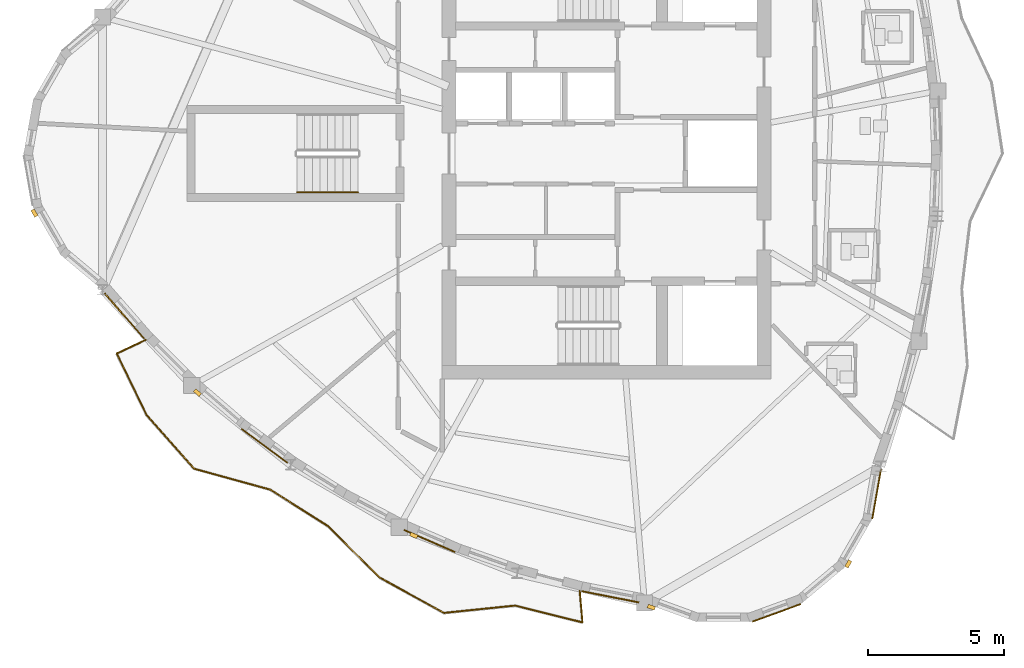
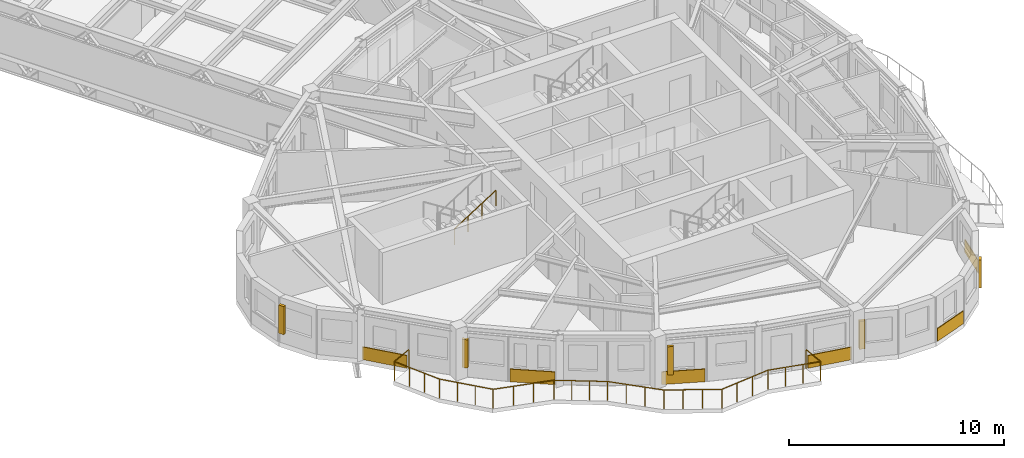
# One storey, part 11 of 14: 6 coverings, 5 shading devices, 2 railings.
"""IFC4 building model written with IfcOpenShell, lengths in metres."""

import ifcopenshell
import ifcopenshell.guid

model = None  # the IFC model being written
_history = None  # IfcOwnerHistory: only IFC2X3 demands one
_inside = {}  # id of a spatial element -> (the spatial element, [elements in it])
_under = {}  # id of a project, library or spatial element -> (it, [spatial elements below it])
_declared = {}  # id of a project -> (the project, [libraries it declares])
_typed = {}  # id of a type object -> (the type object, [elements of that type])
_made_of = {}  # id of a material, layer set ... -> (it, [elements and type objects made of it])


def new_model(schema):
    """Start an empty IFC model of exactly this schema.

    Asked for "IFC4X3", IfcOpenShell would pick the latest addendum, in which some entities
    have other attributes; the version numbers below select the first issue.
    IFC2X3 requires an IfcOwnerHistory on every rooted entity: one is made here for all.
    """
    global model, _history
    if schema == "IFC4X3":
        model = ifcopenshell.file(schema_version=(4, 3, 0, 0))
    else:
        model = ifcopenshell.file(schema=schema)
    _inside.clear()
    _under.clear()
    _declared.clear()
    _typed.clear()
    _made_of.clear()
    _history = None
    if model.schema == "IFC2X3":
        org = make("IfcOrganization", Name="unknown")
        user = make(
            "IfcPersonAndOrganization",
            ThePerson=make("IfcPerson", FamilyName="unknown"),
            TheOrganization=org,
        )
        app = make(
            "IfcApplication",
            ApplicationDeveloper=org,
            Version="unknown",
            ApplicationFullName="unknown",
            ApplicationIdentifier="unknown",
        )
        _history = make(
            "IfcOwnerHistory",
            OwningUser=user,
            OwningApplication=app,
            ChangeAction="ADDED",
            CreationDate=0,
        )
    return model


def make(cls, **values):
    """One entity of the class cls with the attributes given. An attribute that is None is left unset."""
    return model.create_entity(
        cls, **{name: value for name, value in values.items() if value is not None}
    )


def rooted(cls, **values):
    """An entity with a GlobalId (a new one), such as an element, a storey or a relation."""
    return make(cls, GlobalId=ifcopenshell.guid.new(), OwnerHistory=_history, **values)


def si_unit(unit_type, name, prefix=None):
    """IfcSIUnit, for example si_unit("LENGTHUNIT", "METRE", prefix="MILLI")."""
    return make("IfcSIUnit", UnitType=unit_type, Prefix=prefix, Name=name)


def assignment(units):
    """IfcUnitAssignment: the units of a project."""
    return None if units is None else make("IfcUnitAssignment", Units=units)


def point(xyz):
    """IfcCartesianPoint."""
    return None if xyz is None else make("IfcCartesianPoint", Coordinates=xyz)


def direction(xyz):
    """IfcDirection."""
    return None if xyz is None else make("IfcDirection", DirectionRatios=xyz)


def frame(location, z_axis=None, x_axis=None):
    """IfcAxis2Placement3D, a coordinate frame: its origin and axes. An axis left out is left unset."""
    return make(
        "IfcAxis2Placement3D",
        Location=point(location),
        Axis=direction(z_axis),
        RefDirection=direction(x_axis),
    )


def frame_2d(location, x_axis=None):
    """IfcAxis2Placement2D, a coordinate frame in the plane: its origin and x axis."""
    return make(
        "IfcAxis2Placement2D", Location=point(location), RefDirection=direction(x_axis)
    )


def origin():
    """The frame at (0, 0, 0) with its axes left unset."""
    return frame((0.0, 0.0, 0.0))


def origin_2d():
    """The frame at (0, 0) in the plane with its x axis left unset."""
    return frame_2d((0.0, 0.0))


def place(relative_to, where):
    """IfcLocalPlacement: puts the frame where relative to a parent placement (None: the world)."""
    return make(
        "IfcLocalPlacement", PlacementRelTo=relative_to, RelativePlacement=where
    )


def context(
    kind, dimensions, precision=None, world=None, true_north=None, identifier=None
):
    """IfcGeometricRepresentationContext, for example the 3D "Model" context."""
    return make(
        "IfcGeometricRepresentationContext",
        ContextIdentifier=identifier,
        ContextType=kind,
        CoordinateSpaceDimension=dimensions,
        Precision=precision,
        WorldCoordinateSystem=world,
        TrueNorth=true_north,
    )


def subcontext(parent, identifier, kind, view, scale=None):
    """IfcGeometricRepresentationSubContext, for example "Body" below "Model"."""
    return make(
        "IfcGeometricRepresentationSubContext",
        ContextIdentifier=identifier,
        ContextType=kind,
        ParentContext=parent,
        TargetScale=scale,
        TargetView=view,
    )


def project(units=None, contexts=None):
    """IfcProject with its units and contexts."""
    return rooted(
        "IfcProject",
        Name="project",
        RepresentationContexts=contexts,
        UnitsInContext=assignment(units),
    )


def spatial(cls, under=None, at=None, **own):
    """A site, building, storey or space (cls), placed at a placement, below another one or the project."""
    s = rooted(cls, ObjectPlacement=at, **own)
    if under is not None:
        _under.setdefault(under.id(), (under, []))[1].append(s)
    return s


def profile(cls, at=None, kind="AREA", **sizes):
    """A parametric profile (cls). Its sizes go by their IFC names, for example OverallWidth=200.0."""
    return make(cls, ProfileType=kind, Position=at, **sizes)


def rectangle(**sizes):
    """IfcRectangleProfileDef."""
    return profile("IfcRectangleProfileDef", **sizes)


def circle(**sizes):
    """IfcCircleProfileDef."""
    return profile("IfcCircleProfileDef", **sizes)


def extrude(swept, where, along, depth):
    """IfcExtrudedAreaSolid: the profile swept, set in the frame where, extruded along a direction by depth."""
    return make(
        "IfcExtrudedAreaSolid",
        SweptArea=swept,
        Position=where,
        ExtrudedDirection=direction(along),
        Depth=depth,
    )


def shape(context_of_items, identifier, shape_type, items):
    """IfcShapeRepresentation: the items that make up one representation, for example the "Body"."""
    return make(
        "IfcShapeRepresentation",
        ContextOfItems=context_of_items,
        RepresentationIdentifier=identifier,
        RepresentationType=shape_type,
        Items=items,
    )


def source(mapping_origin, context_of_items, identifier, shape_type, items):
    """IfcRepresentationMap: a shape defined once, which mapped items show again and again."""
    return make(
        "IfcRepresentationMap",
        MappingOrigin=mapping_origin,
        MappedRepresentation=shape(context_of_items, identifier, shape_type, items),
    )


def transform(
    local_origin,
    x_axis=None,
    y_axis=None,
    z_axis=None,
    scale=None,
    scale2=None,
    scale3=None,
    uniform=True,
):
    """IfcCartesianTransformationOperator3D, or its non-uniform kind. x_axis, y_axis, z_axis: its Axis1, 2, 3."""
    if uniform:
        return make(
            "IfcCartesianTransformationOperator3D",
            Axis1=direction(x_axis),
            Axis2=direction(y_axis),
            LocalOrigin=point(local_origin),
            Scale=scale,
            Axis3=direction(z_axis),
        )
    return make(
        "IfcCartesianTransformationOperator3DnonUniform",
        Axis1=direction(x_axis),
        Axis2=direction(y_axis),
        LocalOrigin=point(local_origin),
        Scale=scale,
        Axis3=direction(z_axis),
        Scale2=scale2,
        Scale3=scale3,
    )


def mapped(mapping_source, mapping_target):
    """IfcMappedItem: shows the shape of a source again, moved by a transform."""
    return make(
        "IfcMappedItem", MappingSource=mapping_source, MappingTarget=mapping_target
    )


def material(Name=None, Category=None):
    """IfcMaterial."""
    return make("IfcMaterial", Name=Name, Category=Category)


def layer(
    of_material, thickness, ventilated=None, Name=None, Category=None, Priority=None
):
    """IfcMaterialLayer: one layer of a wall or slab, of a material (None: an air gap)."""
    return make(
        "IfcMaterialLayer",
        Material=of_material,
        LayerThickness=thickness,
        IsVentilated=ventilated,
        Name=Name,
        Category=Category,
        Priority=Priority,
    )


def layer_set(layers, Name=None):
    """IfcMaterialLayerSet."""
    return make("IfcMaterialLayerSet", MaterialLayers=layers, LayerSetName=Name)


def made_of(thing, what):
    """Note that an element or type object is made of a material, layer set ...; save() writes the relation."""
    if what is not None:
        _made_of.setdefault(what.id(), (what, []))[1].append(thing)
    return thing


def type_object(cls, material=None, **own):
    """A type object (cls), such as IfcWallType, which elements share."""
    return made_of(rooted(cls, **own), material)


def element(
    cls,
    number,
    at=None,
    inside=None,
    cuts=None,
    type_object=None,
    material=None,
    context=None,
    identifier="Body",
    shape_type=None,
    held_by="IfcProductDefinitionShape",
    body=None,
    shapes=None,
    **own,
):
    """One element of the class cls, such as IfcWall. Its Tag is "e" and its number.

    at: its placement. inside: the storey or other place that contains it. cuts: it is an
    opening in that element (IfcRelVoidsElement). A single representation is given by context,
    identifier, shape_type and body (its items); several are given by shapes. held_by: the class
    of the entity that holds the representations. save() writes the other relations.
    """
    e = rooted(cls, Tag="e%d" % number, ObjectPlacement=at, **own)
    if body is not None:
        shapes = [shape(context, identifier, shape_type, body)]
    if shapes is not None:
        e.Representation = make(held_by, Representations=shapes)
    if inside is not None:
        _inside.setdefault(inside.id(), (inside, []))[1].append(e)
    if cuts is not None:
        rooted(
            "IfcRelVoidsElement", RelatingBuildingElement=cuts, RelatedOpeningElement=e
        )
    if type_object is not None:
        _typed.setdefault(type_object.id(), (type_object, []))[1].append(e)
    return made_of(e, material)


def aggregate(whole, parts):
    """IfcRelAggregates: a whole, such as a stair, and the parts it consists of."""
    return rooted("IfcRelAggregates", RelatingObject=whole, RelatedObjects=parts)


def save(model, path):
    """Write the relations noted so far, then the file.

    IfcRelAggregates (storeys below a building ...), IfcRelContainedInSpatialStructure (elements
    in a storey), IfcRelDefinesByType, IfcRelAssociatesMaterial and IfcRelDeclares: one each for
    every whole, place, type object, material and project.
    """
    for whole, parts in _under.values():
        aggregate(whole, parts)
    for where, things in _inside.values():
        rooted(
            "IfcRelContainedInSpatialStructure",
            RelatedElements=things,
            RelatingStructure=where,
        )
    for kind, things in _typed.values():
        rooted("IfcRelDefinesByType", RelatedObjects=things, RelatingType=kind)
    for what, things in _made_of.values():
        rooted("IfcRelAssociatesMaterial", RelatedObjects=things, RelatingMaterial=what)
    for by, libraries in _declared.values():
        rooted("IfcRelDeclares", RelatingContext=by, RelatedDefinitions=libraries)
    model.write(path)


model = new_model("IFC4")

# Units and contexts
model_context = context("Model", 3, precision=1e-05, world=origin(), true_north=direction((0.0, 1.0)))
body_context = subcontext(model_context, "Body", "Model", "MODEL_VIEW")
ifc_project = project(units=[si_unit("LENGTHUNIT", "METRE"), si_unit("AREAUNIT", "SQUARE_METRE"), si_unit("VOLUMEUNIT", "CUBIC_METRE"), si_unit("PLANEANGLEUNIT", "RADIAN"), si_unit("MASSUNIT", "GRAM", prefix="KILO")], contexts=[model_context])

# Site, building, storey
site_placement = place(None, origin())
site = spatial("IfcSite", under=ifc_project, at=site_placement, CompositionType="ELEMENT")
building_placement = place(site_placement, origin())
building = spatial("IfcBuilding", under=site, at=building_placement, Name="Qafzar Sky-Pleat Residences", CompositionType="ELEMENT")
storey_placement = place(building_placement, frame((0.0, 0.0, 205.199951171875)))
storey = spatial("IfcBuildingStorey", under=building, at=storey_placement, Name="L61", CompositionType="ELEMENT", Elevation=205.199951171875)

# Shading devices
ifc_material_1 = material(Name="Honed Riyadh limestone solar fin", Category="masonry")
ifc_layer_1 = layer(ifc_material_1, 0.139892578125)
ifc_layer_set_1 = layer_set([ifc_layer_1], Name="Honed Riyadh limestone solar fin")
shading_device_type = type_object("IfcShadingDeviceType", Name="SHD-FIN-STONE", PredefinedType="SHUTTER", material=ifc_layer_set_1)
shared_shape_1 = source(origin(), body_context, "Body", "SweptSolid", [
    extrude(rectangle(XDim=0.139892578125, YDim=0.280029296875, at=origin_2d()), origin(), (0.0, 0.0, 1.0), 1.60009765625),
])
for number, where, z_axis, x_axis, name in (
    (1, (9.28955078125, 23.80859375, 0.60009765625), (0.0, 0.0, 1.0), (-0.86604422228, -0.499967403994, 0.0), "L61 Limestone Solar Fin 5"),
    (2, (15.291015625, 17.1962890625, 0.60009765625), (0.0, 0.0, 1.0), (-0.652839263747, -0.757496465807, 0.0), "L61 Limestone Solar Fin 9"),
    (3, (23.255615234375, 11.939208984375, 0.60009765625), (0.0, 0.0, 1.0), (-0.398680391658, -0.917089933053, 0.0), "L61 Limestone Solar Fin 13"),
    (4, (31.999267578125, 9.295654296875, 0.60009765625), (0.0, 0.0, 1.0), (-0.342053959704, -0.939680311942, 0.0), "L61 Limestone Solar Fin 17"),
    (5, (39.2529296875, 10.891845703125, 0.60009765625), (0.0, 0.0, 1.0), (0.86603181203, -0.499988900429, 0.0), "L61 Limestone Solar Fin 21"),
):
    element("IfcShadingDevice", number, at=place(storey_placement, frame(where, z_axis=z_axis, x_axis=x_axis)), inside=storey, type_object=shading_device_type, Name=name, PredefinedType="SHUTTER", context=body_context, shape_type="MappedRepresentation", body=[
        mapped(shared_shape_1, transform((0.0, 0.0, 0.0), x_axis=(1.0, 0.0, 0.0), y_axis=(0.0, 1.0, 0.0), z_axis=(0.0, 0.0, 1.0), scale=1.0)),
    ])

# Coverings
ifc_material_2 = material(Name="Honed Riyadh Tuwaiq limestone cladding", Category="masonry")
ifc_layer_2 = layer(ifc_material_2, 0.044921875)
ifc_layer_set_2 = layer_set([ifc_layer_2], Name="Honed Riyadh Tuwaiq limestone cladding")
covering_type = type_object("IfcCoveringType", Name="COV-CLAD-STONE", PredefinedType="CLADDING", material=ifc_layer_set_2)
shared_shape_2 = source(origin(), body_context, "Body", "SweptSolid", [
    extrude(rectangle(XDim=1.88134765625, YDim=0.044921875, at=origin_2d()), origin(), (0.0, 0.0, 1.0), 0.719970703125),
])
covering_1_placement = place(storey_placement, frame((36.61376953125, 9.08935546875, 0.02001953125), z_axis=(0.0, 0.0, 1.0), x_axis=(0.939694209735, 0.342015777694, 0.0)))
element("IfcCovering", 6, at=covering_1_placement, inside=storey, type_object=covering_type, Name="L61 Riyadh Limestone Spandrel Cladding 19", PredefinedType="CLADDING", context=body_context, shape_type="MappedRepresentation", body=[
    mapped(shared_shape_2, transform((0.0, 0.0, 0.0), x_axis=(1.0, 0.0, 0.0), y_axis=(0.0, 1.0, 0.0), z_axis=(0.0, 0.0, 1.0), scale=1.0)),
])
shared_shape_3 = source(origin(), body_context, "Body", "SweptSolid", [
    extrude(rectangle(XDim=1.8291015625, YDim=0.044921875, at=origin_2d()), origin(), (0.0, 0.0, 1.0), 0.719970703125),
])
covering_2_placement = place(storey_placement, frame((40.294189453125, 13.453369140625, 0.02001953125), z_axis=(0.0, 0.0, 1.0), x_axis=(0.173695508338, 0.984799406165, 0.0)))
element("IfcCovering", 7, at=covering_2_placement, inside=storey, type_object=covering_type, Name="L61 Riyadh Limestone Spandrel Cladding 22", PredefinedType="CLADDING", context=body_context, shape_type="MappedRepresentation", body=[
    mapped(shared_shape_3, transform((0.0, 0.0, 0.0), x_axis=(1.0, 0.0, 0.0), y_axis=(0.0, 1.0, 0.0), z_axis=(0.0, 0.0, 1.0), scale=1.0)),
])

# Railing
ifc_material_3 = material(Name="Laminated glass and bronze steel balustrade", Category="steel")
railing_type_1 = type_object("IfcRailingType", Name="RAIL-BAL-1100", PredefinedType="BALUSTRADE", material=ifc_material_3)
shared_shape_4 = source(origin(), body_context, "Body", "SweptSolid", [
    extrude(circle(Radius=0.02392578125, at=origin_2d()), frame((0.0, 0.0, 1.076171875), z_axis=(-0.905142554346, -0.425108170131, 0.0), x_axis=(0.425108170131, -0.905142554346, 0.0)), (0.0, 0.0, 1.0), 1.177978515625),
    extrude(circle(Radius=0.02392578125, at=origin_2d()), frame((-1.066162109375, -0.500732421875, 1.076171875), z_axis=(0.437343392561, -0.899294588543, 0.0), x_axis=(0.899294588543, 0.437343392561, 0.0)), (0.0, 0.0, 1.0), 2.530029296875),
    extrude(circle(Radius=0.02392578125, at=origin_2d()), frame((0.040283203125, -2.77587890625, 1.076171875), z_axis=(0.663752158726, -0.74795258659, 0.0), x_axis=(0.74795258659, 0.663752158726, 0.0)), (0.0, 0.0, 1.0), 2.626953125),
    extrude(circle(Radius=0.02392578125, at=origin_2d()), frame((1.783935546875, -4.74072265625, 1.076171875), z_axis=(0.964116962328, -0.26547783891, 0.0), x_axis=(0.26547783891, 0.964116962328, 0.0)), (0.0, 0.0, 1.0), 2.913330078125),
    extrude(circle(Radius=0.02392578125, at=origin_2d()), frame((4.5927734375, -5.51416015625, 1.076171875), z_axis=(0.844768889997, -0.535131313318, 0.0), x_axis=(0.535131313318, 0.844768889997, 0.0)), (0.0, 0.0, 1.0), 2.492431640625),
    extrude(circle(Radius=0.02392578125, at=origin_2d()), frame((6.6982421875, -6.847900390625, 1.076171875), z_axis=(0.710393397684, -0.703804817067, 0.0), x_axis=(0.703804817067, 0.710393397684, 0.0)), (0.0, 0.0, 1.0), 2.705078125),
    extrude(circle(Radius=0.02392578125, at=origin_2d()), frame((8.619873046875, -8.751708984375, 1.076171875), z_axis=(0.876175728039, -0.481991798266, 0.0), x_axis=(0.481991798266, 0.876175728039, 0.0)), (0.0, 0.0, 1.0), 2.694091796875),
    extrude(circle(Radius=0.02392578125, at=origin_2d()), frame((10.98046875, -10.05029296875, 1.076171875), z_axis=(0.994700616791, 0.102813826673, 0.0), x_axis=(-0.102813826673, 0.994700616791, 0.0)), (0.0, 0.0, 1.0), 2.6357421875),
    extrude(circle(Radius=0.02392578125, at=origin_2d()), frame((13.602294921875, -9.779296875, 1.076171875), z_axis=(0.970086186888, -0.242760767029, 0.0), x_axis=(0.242760767029, 0.970086186888, 0.0)), (0.0, 0.0, 1.0), 2.551513671875),
    extrude(circle(Radius=0.02392578125, at=origin_2d()), frame((16.077392578125, -10.398681640625, 1.076171875), z_axis=(-0.084348911434, 0.996436280522, 0.0), x_axis=(-0.996436280522, -0.084348911434, 0.0)), (0.0, 0.0, 1.0), 1.177978515625),
    extrude(circle(Radius=0.02099609375, at=origin_2d()), origin(), (0.0, 0.0, 1.0), 1.052001953125),
    extrude(circle(Radius=0.02099609375, at=origin_2d()), frame((-1.066162109375, -0.500732421875, 0.0)), (0.0, 0.0, 1.0), 1.052001953125),
    extrude(circle(Radius=0.02099609375, at=origin_2d()), frame((-0.697265625, -1.259033203125, 0.0)), (0.0, 0.0, 1.0), 1.052001953125),
    extrude(circle(Radius=0.02099609375, at=origin_2d()), frame((-0.32861328125, -2.017578125, 0.0)), (0.0, 0.0, 1.0), 1.052001953125),
    extrude(circle(Radius=0.02099609375, at=origin_2d()), frame((0.040283203125, -2.77587890625, 0.0)), (0.0, 0.0, 1.0), 1.052001953125),
    extrude(circle(Radius=0.02099609375, at=origin_2d()), frame((0.62158203125, -3.430908203125, 0.0)), (0.0, 0.0, 1.0), 1.052001953125),
    extrude(circle(Radius=0.02099609375, at=origin_2d()), frame((1.20263671875, -4.085693359375, 0.0)), (0.0, 0.0, 1.0), 1.052001953125),
    extrude(circle(Radius=0.02099609375, at=origin_2d()), frame((1.783935546875, -4.74072265625, 0.0)), (0.0, 0.0, 1.0), 1.052001953125),
    extrude(circle(Radius=0.02099609375, at=origin_2d()), frame((2.72021484375, -4.99853515625, 0.0)), (0.0, 0.0, 1.0), 1.052001953125),
    extrude(circle(Radius=0.02099609375, at=origin_2d()), frame((3.656494140625, -5.25634765625, 0.0)), (0.0, 0.0, 1.0), 1.052001953125),
    extrude(circle(Radius=0.02099609375, at=origin_2d()), frame((4.5927734375, -5.51416015625, 0.0)), (0.0, 0.0, 1.0), 1.052001953125),
    extrude(circle(Radius=0.02099609375, at=origin_2d()), frame((5.294677734375, -5.958740234375, 0.0)), (0.0, 0.0, 1.0), 1.052001953125),
    extrude(circle(Radius=0.02099609375, at=origin_2d()), frame((5.996337890625, -6.4033203125, 0.0)), (0.0, 0.0, 1.0), 1.052001953125),
    extrude(circle(Radius=0.02099609375, at=origin_2d()), frame((6.6982421875, -6.847900390625, 0.0)), (0.0, 0.0, 1.0), 1.052001953125),
    extrude(circle(Radius=0.02099609375, at=origin_2d()), frame((7.3388671875, -7.482421875, 0.0)), (0.0, 0.0, 1.0), 1.052001953125),
    extrude(circle(Radius=0.02099609375, at=origin_2d()), frame((7.979248046875, -8.1171875, 0.0)), (0.0, 0.0, 1.0), 1.052001953125),
    extrude(circle(Radius=0.02099609375, at=origin_2d()), frame((8.619873046875, -8.751708984375, 0.0)), (0.0, 0.0, 1.0), 1.052001953125),
    extrude(circle(Radius=0.02099609375, at=origin_2d()), frame((9.40673828125, -9.1845703125, 0.0)), (0.0, 0.0, 1.0), 1.052001953125),
    extrude(circle(Radius=0.02099609375, at=origin_2d()), frame((10.193603515625, -9.617431640625, 0.0)), (0.0, 0.0, 1.0), 1.052001953125),
    extrude(circle(Radius=0.02099609375, at=origin_2d()), frame((10.98046875, -10.05029296875, 0.0)), (0.0, 0.0, 1.0), 1.052001953125),
    extrude(circle(Radius=0.02099609375, at=origin_2d()), frame((11.8544921875, -9.9599609375, 0.0)), (0.0, 0.0, 1.0), 1.052001953125),
    extrude(circle(Radius=0.02099609375, at=origin_2d()), frame((12.728271484375, -9.86962890625, 0.0)), (0.0, 0.0, 1.0), 1.052001953125),
    extrude(circle(Radius=0.02099609375, at=origin_2d()), frame((13.602294921875, -9.779296875, 0.0)), (0.0, 0.0, 1.0), 1.052001953125),
    extrude(circle(Radius=0.02099609375, at=origin_2d()), frame((14.42724609375, -9.98583984375, 0.0)), (0.0, 0.0, 1.0), 1.052001953125),
    extrude(circle(Radius=0.02099609375, at=origin_2d()), frame((15.25244140625, -10.192138671875, 0.0)), (0.0, 0.0, 1.0), 1.052001953125),
    extrude(circle(Radius=0.02099609375, at=origin_2d()), frame((16.077392578125, -10.398681640625, 0.0)), (0.0, 0.0, 1.0), 1.052001953125),
    extrude(circle(Radius=0.02099609375, at=origin_2d()), frame((15.97802734375, -9.224853515625, 0.0)), (0.0, 0.0, 1.0), 1.052001953125),
])
railing_1_placement = place(storey_placement, frame((13.3857421875, 19.13720703125, 0.0)))
element("IfcRailing", 8, at=railing_1_placement, inside=storey, type_object=railing_type_1, Name="L61 Pleated Balcony 2 Balustrade", PredefinedType="BALUSTRADE", context=body_context, shape_type="MappedRepresentation", body=[
    mapped(shared_shape_4, transform((0.0, 0.0, 0.0), x_axis=(1.0, 0.0, 0.0), y_axis=(0.0, 1.0, 0.0), z_axis=(0.0, 0.0, 1.0), scale=1.0)),
])

# Coverings
shared_shape_5 = source(origin(), body_context, "Body", "SweptSolid", [
    extrude(rectangle(XDim=2.208251953125, YDim=0.044921875, at=origin_2d()), origin(), (0.0, 0.0, 1.0), 0.719970703125),
])
covering_3_placement = place(storey_placement, frame((12.598388671875, 20.0234375, 0.02001953125), z_axis=(0.0, 0.0, 1.0), x_axis=(0.657615428033, -0.753353800556, 0.0)))
element("IfcCovering", 9, at=covering_3_placement, inside=storey, type_object=covering_type, Name="L61 Riyadh Limestone Spandrel Cladding 7", PredefinedType="CLADDING", context=body_context, shape_type="MappedRepresentation", body=[
    mapped(shared_shape_5, transform((0.0, 0.0, 0.0), x_axis=(1.0, 0.0, 0.0), y_axis=(0.0, 1.0, 0.0), z_axis=(0.0, 0.0, 1.0), scale=1.0)),
])
shared_shape_6 = source(origin(), body_context, "Body", "SweptSolid", [
    extrude(rectangle(XDim=2.103759765625, YDim=0.044921875, at=origin_2d()), origin(), (0.0, 0.0, 1.0), 0.719970703125),
])
covering_4_placement = place(storey_placement, frame((17.758544921875, 15.2373046875, 0.02001953125), z_axis=(0.0, 0.0, 1.0), x_axis=(0.803818578384, -0.594874518739, 0.0)))
element("IfcCovering", 10, at=covering_4_placement, inside=storey, type_object=covering_type, Name="L61 Riyadh Limestone Spandrel Cladding 10", PredefinedType="CLADDING", context=body_context, shape_type="MappedRepresentation", body=[
    mapped(shared_shape_6, transform((0.0, 0.0, 0.0), x_axis=(1.0, 0.0, 0.0), y_axis=(0.0, 1.0, 0.0), z_axis=(0.0, 0.0, 1.0), scale=1.0)),
])
shared_shape_7 = source(origin(), body_context, "Body", "SweptSolid", [
    extrude(rectangle(XDim=2.040771484375, YDim=0.044921875, at=origin_2d()), origin(), (0.0, 0.0, 1.0), 0.719970703125),
])
covering_5_placement = place(storey_placement, frame((23.83203125, 11.7353515625, 0.02001953125), z_axis=(0.0, 0.0, 1.0), x_axis=(0.91708407899, -0.398693857568, 0.0)))
element("IfcCovering", 11, at=covering_5_placement, inside=storey, type_object=covering_type, Name="L61 Riyadh Limestone Spandrel Cladding 13", PredefinedType="CLADDING", context=body_context, shape_type="MappedRepresentation", body=[
    mapped(shared_shape_7, transform((0.0, 0.0, 0.0), x_axis=(1.0, 0.0, 0.0), y_axis=(0.0, 1.0, 0.0), z_axis=(0.0, 0.0, 1.0), scale=1.0)),
])
shared_shape_8 = source(origin(), body_context, "Body", "SweptSolid", [
    extrude(rectangle(XDim=2.145263671875, YDim=0.044921875, at=origin_2d()), origin(), (0.0, 0.0, 1.0), 0.719970703125),
])
covering_6_placement = place(storey_placement, frame((30.490478515625, 9.68017578125, 0.02001953125), z_axis=(0.0, 0.0, 1.0), x_axis=(0.98123195438, -0.192831148168, 0.0)))
element("IfcCovering", 12, at=covering_6_placement, inside=storey, type_object=covering_type, Name="L61 Riyadh Limestone Spandrel Cladding 16", PredefinedType="CLADDING", context=body_context, shape_type="MappedRepresentation", body=[
    mapped(shared_shape_8, transform((0.0, 0.0, 0.0), x_axis=(1.0, 0.0, 0.0), y_axis=(0.0, 1.0, 0.0), z_axis=(0.0, 0.0, 1.0), scale=1.0)),
])

# Railing
ifc_material_4 = material(Name="Brushed stainless steel handrail", Category="steel")
railing_type_2 = type_object("IfcRailingType", Name="RAIL-STAIR-HAND", PredefinedType="HANDRAIL", material=ifc_material_4)
shared_shape_9 = source(origin(), body_context, "Body", "SweptSolid", [
    extrude(circle(Radius=0.02392578125, at=origin_2d()), frame((0.0, 0.0, 0.8759765625), z_axis=(0.8442293374, 0.0, 0.53598211339), x_axis=(0.0, 1.0, 0.0)), (0.0, 0.0, 1.0), 2.6533203125),
    extrude(circle(Radius=0.02099609375, at=origin_2d()), origin(), (0.0, 0.0, 1.0), 0.851806640625),
    extrude(circle(Radius=0.02099609375, at=origin_2d()), frame((0.74658203125, 0.0, 0.47412109375)), (0.0, 0.0, 1.0), 0.851806640625),
    extrude(circle(Radius=0.02099609375, at=origin_2d()), frame((1.493408203125, 0.0, 0.947998046875)), (0.0, 0.0, 1.0), 0.851806640625),
    extrude(circle(Radius=0.02099609375, at=origin_2d()), frame((2.239990234375, 0.0, 1.422119140625)), (0.0, 0.0, 1.0), 0.851806640625),
])
railing_2_placement = place(storey_placement, frame((18.9599609375, 24.574951171875, 1.77783203125)))
element("IfcRailing", 13, at=railing_2_placement, inside=storey, type_object=railing_type_2, Name="L61 ST3 stair handrail 2", PredefinedType="HANDRAIL", context=body_context, shape_type="MappedRepresentation", body=[
    mapped(shared_shape_9, transform((0.0, 0.0, 0.0), x_axis=(1.0, 0.0, 0.0), y_axis=(0.0, 1.0, 0.0), z_axis=(0.0, 0.0, 1.0), scale=1.0)),
])

save(model, "model.ifc")
